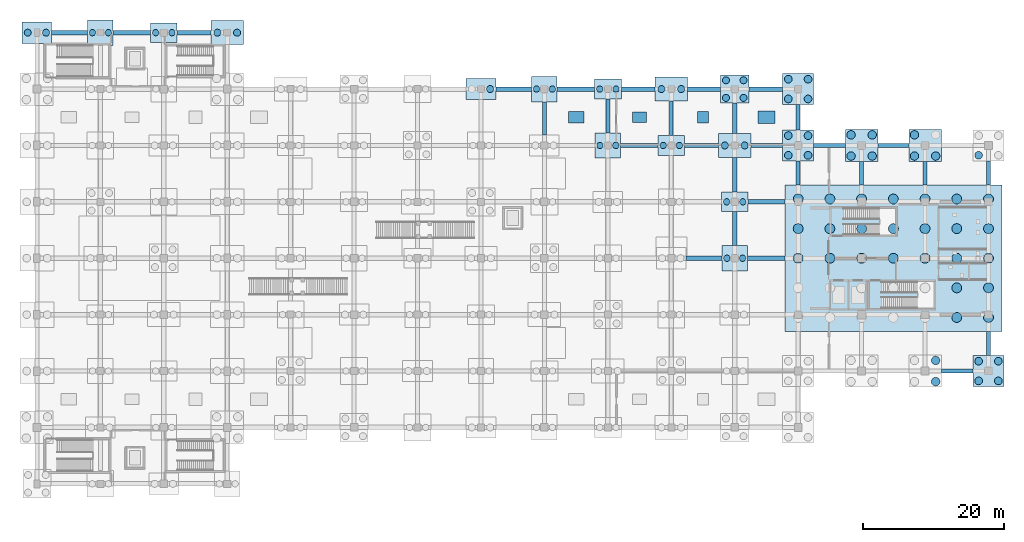
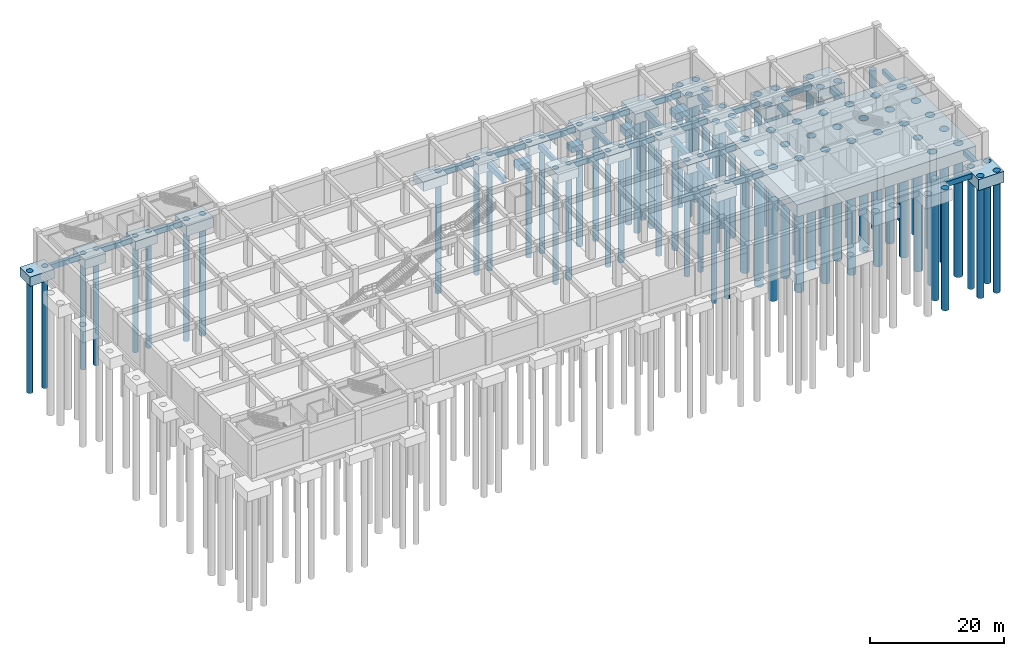
# One storey, part 5 of 18: 76 piles, 53 footings.
"""IFC4 building model written with IfcOpenShell, lengths in metres."""

from ifc_helpers import new_model, si_unit, derived_unit, direction, frame, origin, origin_2d, place, context, subcontext, project, spatial, rectangle, circle, extrude, material, material_profile, profile_set, type_object, element, save


model = new_model("IFC4")

# Units and contexts
model_context = context("Model", 3, precision=1e-05, world=origin(), true_north=direction((0.0, 1.0)))
body_context = subcontext(model_context, "Body", "Model", "MODEL_VIEW")
ifc_project = project(units=[si_unit("LENGTHUNIT", "METRE"), si_unit("AREAUNIT", "SQUARE_METRE"), si_unit("VOLUMEUNIT", "CUBIC_METRE"), si_unit("PLANEANGLEUNIT", "RADIAN"), si_unit("MASSUNIT", "GRAM", prefix="KILO"), derived_unit("THERMALTRANSMITTANCEUNIT", [(si_unit("MASSUNIT", "GRAM", prefix="KILO"), 1), (si_unit("TIMEUNIT", "SECOND"), -3), (si_unit("THERMODYNAMICTEMPERATUREUNIT", "KELVIN"), -1)])], contexts=[model_context])

# Site, building, storey
site_placement = place(None, origin())
site = spatial("IfcSite", under=ifc_project, at=site_placement, CompositionType="ELEMENT")
building_placement = place(site_placement, origin())
building = spatial("IfcBuilding", under=site, at=building_placement, Name="Zhenchuan Archway Interchange", CompositionType="ELEMENT")
storey_placement = place(building_placement, frame((0.0, 0.0, -12.0)))
storey = spatial("IfcBuildingStorey", under=building, at=storey_placement, Name="B2", CompositionType="ELEMENT", Elevation=-12.0)

# Footings
ifc_material_1 = material(Name="Concrete C40", Category="concrete")
ifc_material_profile_1 = material_profile(ifc_material_1, rectangle(XDim=0.64990234375, YDim=1.0, at=origin_2d()), Name="RC 650x1000")
ifc_profile_set_1 = profile_set([ifc_material_profile_1], Name="Concrete C40")
footing_type_1 = type_object("IfcFootingType", Name="FB_GROUND_1", PredefinedType="FOOTING_BEAM", material=ifc_profile_set_1)
footing_1_placement = place(storey_placement, frame((136.89990234375, 64.0, -1.5), z_axis=(1.0, 0.0, 0.0), x_axis=(0.0, 1.0, 0.0)))
element("IfcFooting", 1, at=footing_1_placement, inside=storey, type_object=footing_type_1, Name="Ground tie beam J:16-17 (B2)", PredefinedType="FOOTING_BEAM", context=body_context, shape_type="SweptSolid", body=[
    extrude(rectangle(XDim=0.64990234375, YDim=1.0, at=origin_2d()), origin(), (0.0, 0.0, 1.0), 5.2001953125),
])
footing_2_placement = place(storey_placement, frame((101.10009765625, 80.0, -1.5), z_axis=(1.0, 0.0, 0.0), x_axis=(0.0, 1.0, 0.0)))
element("IfcFooting", 2, at=footing_2_placement, inside=storey, type_object=footing_type_1, Name="Ground tie beam L:12-13 (B2)", PredefinedType="FOOTING_BEAM", context=body_context, shape_type="SweptSolid", body=[
    extrude(rectangle(XDim=0.64990234375, YDim=1.0, at=origin_2d()), origin(), (0.0, 0.0, 1.0), 5.099853515625),
])
footing_3_placement = place(storey_placement, frame((109.800048828125, 80.0, -1.5), z_axis=(1.0, 0.0, 0.0), x_axis=(0.0, 1.0, 0.0)))
element("IfcFooting", 3, at=footing_3_placement, inside=storey, type_object=footing_type_1, Name="Ground tie beam L:13-14 (B2)", PredefinedType="FOOTING_BEAM", context=body_context, shape_type="SweptSolid", body=[
    extrude(rectangle(XDim=0.64990234375, YDim=1.0, at=origin_2d()), origin(), (0.0, 0.0, 1.0), 5.300048828125),
])
footing_4_placement = place(storey_placement, frame((118.89990234375, 80.0, -1.5), z_axis=(1.0, 0.0, 0.0), x_axis=(0.0, 1.0, 0.0)))
element("IfcFooting", 4, at=footing_4_placement, inside=storey, type_object=footing_type_1, Name="Ground tie beam L:14-15 (B2)", PredefinedType="FOOTING_BEAM", context=body_context, shape_type="SweptSolid", body=[
    extrude(rectangle(XDim=0.64990234375, YDim=1.0, at=origin_2d()), origin(), (0.0, 0.0, 1.0), 4.800048828125),
])
footing_5_placement = place(storey_placement, frame((128.300048828125, 80.0, -1.5), z_axis=(1.0, 0.0, 0.0), x_axis=(0.0, 1.0, 0.0)))
element("IfcFooting", 5, at=footing_5_placement, inside=storey, type_object=footing_type_1, Name="Ground tie beam L:15-16 (B2)", PredefinedType="FOOTING_BEAM", context=body_context, shape_type="SweptSolid", body=[
    extrude(rectangle(XDim=0.64990234375, YDim=1.0, at=origin_2d()), origin(), (0.0, 0.0, 1.0), 4.699951171875),
])
footing_6_placement = place(storey_placement, frame((137.0, 80.0, -1.5), z_axis=(1.0, 0.0, 0.0), x_axis=(0.0, 1.0, 0.0)))
element("IfcFooting", 6, at=footing_6_placement, inside=storey, type_object=footing_type_1, Name="Ground tie beam L:16-17 (B2)", PredefinedType="FOOTING_BEAM", context=body_context, shape_type="SweptSolid", body=[
    extrude(rectangle(XDim=0.64990234375, YDim=1.0, at=origin_2d()), origin(), (0.0, 0.0, 1.0), 4.800048828125),
])
ifc_material_profile_2 = material_profile(ifc_material_1, rectangle(XDim=0.60009765625, YDim=0.949951171875, at=origin_2d()), Name="RC 600x950")
ifc_profile_set_2 = profile_set([ifc_material_profile_2], Name="Concrete C40")
footing_type_2 = type_object("IfcFootingType", Name="FB_GROUND_2", PredefinedType="FOOTING_BEAM", material=ifc_profile_set_2)
footing_7_placement = place(storey_placement, frame((164.300048828125, 40.0, -1.47509765625), z_axis=(1.0, 0.0, 0.0), x_axis=(0.0, 1.0, 0.0)))
element("IfcFooting", 7, at=footing_7_placement, inside=storey, type_object=footing_type_2, Name="Ground tie beam F:19-20 (B2)", PredefinedType="FOOTING_BEAM", context=body_context, shape_type="SweptSolid", body=[
    extrude(rectangle(XDim=0.60009765625, YDim=0.949951171875, at=origin_2d()), origin(), (0.0, 0.0, 1.0), 4.5),
])
footing_8_placement = place(storey_placement, frame((128.10009765625, 56.0, -1.47509765625), z_axis=(1.0, 0.0, 0.0), x_axis=(0.0, 1.0, 0.0)))
element("IfcFooting", 8, at=footing_8_placement, inside=storey, type_object=footing_type_2, Name="Ground tie beam H:15-16 (B2)", PredefinedType="FOOTING_BEAM", context=body_context, shape_type="SweptSolid", body=[
    extrude(rectangle(XDim=0.60009765625, YDim=0.949951171875, at=origin_2d()), origin(), (0.0, 0.0, 1.0), 5.099853515625),
])
for number, where, z_axis, x_axis, name in (
    (9, (136.800048828125, 56.0, -1.47509765625), (1.0, 0.0, 0.0), (0.0, 1.0, 0.0), "Ground tie beam H:16-17 (B2)"),
    (10, (118.800048828125, 72.0, -1.47509765625), (1.0, 0.0, 0.0), (0.0, 1.0, 0.0), "Ground tie beam K:14-15 (B2)"),
):
    element("IfcFooting", number, at=place(storey_placement, frame(where, z_axis=z_axis, x_axis=x_axis)), inside=storey, type_object=footing_type_2, Name=name, PredefinedType="FOOTING_BEAM", context=body_context, shape_type="SweptSolid", body=[
        extrude(rectangle(XDim=0.60009765625, YDim=0.949951171875, at=origin_2d()), origin(), (0.0, 0.0, 1.0), 5.300048828125),
    ])
footing_9_placement = place(storey_placement, frame((127.89990234375, 72.0, -1.47509765625), z_axis=(1.0, 0.0, 0.0), x_axis=(0.0, 1.0, 0.0)))
element("IfcFooting", 11, at=footing_9_placement, inside=storey, type_object=footing_type_2, Name="Ground tie beam K:15-16 (B2)", PredefinedType="FOOTING_BEAM", context=body_context, shape_type="SweptSolid", body=[
    extrude(rectangle(XDim=0.60009765625, YDim=0.949951171875, at=origin_2d()), origin(), (0.0, 0.0, 1.0), 4.800048828125),
])
for number, where, z_axis, x_axis, name in (
    (12, (137.300048828125, 72.0, -1.47509765625), (1.0, 0.0, 0.0), (0.0, 1.0, 0.0), "Ground tie beam K:16-17 (B2)"),
    (13, (146.199951171875, 72.0, -1.47509765625), (1.0, 0.0, 0.0), (0.0, 1.0, 0.0), "Ground tie beam K:17-18 (B2)"),
):
    element("IfcFooting", number, at=place(storey_placement, frame(where, z_axis=z_axis, x_axis=x_axis)), inside=storey, type_object=footing_type_2, Name=name, PredefinedType="FOOTING_BEAM", context=body_context, shape_type="SweptSolid", body=[
        extrude(rectangle(XDim=0.60009765625, YDim=0.949951171875, at=origin_2d()), origin(), (0.0, 0.0, 1.0), 4.5),
    ])
footing_10_placement = place(storey_placement, frame((155.300048828125, 72.0, -1.47509765625), z_axis=(1.0, 0.0, 0.0), x_axis=(0.0, 1.0, 0.0)))
element("IfcFooting", 14, at=footing_10_placement, inside=storey, type_object=footing_type_2, Name="Ground tie beam K:18-19 (B2)", PredefinedType="FOOTING_BEAM", context=body_context, shape_type="SweptSolid", body=[
    extrude(rectangle(XDim=0.60009765625, YDim=0.949951171875, at=origin_2d()), origin(), (0.0, 0.0, 1.0), 4.39990234375),
])
footing_11_placement = place(storey_placement, frame((38.10009765625, 88.0, -1.47509765625), z_axis=(1.0, 0.0, 0.0), x_axis=(0.0, 1.0, 0.0)))
element("IfcFooting", 15, at=footing_11_placement, inside=storey, type_object=footing_type_2, Name="Ground tie beam M:5-6 (B2)", PredefinedType="FOOTING_BEAM", context=body_context, shape_type="SweptSolid", body=[
    extrude(rectangle(XDim=0.60009765625, YDim=0.949951171875, at=origin_2d()), origin(), (0.0, 0.0, 1.0), 5.099853515625),
])
footing_12_placement = place(storey_placement, frame((46.800048828125, 88.0, -1.47509765625), z_axis=(1.0, 0.0, 0.0), x_axis=(0.0, 1.0, 0.0)))
element("IfcFooting", 16, at=footing_12_placement, inside=storey, type_object=footing_type_2, Name="Ground tie beam M:6-7 (B2)", PredefinedType="FOOTING_BEAM", context=body_context, shape_type="SweptSolid", body=[
    extrude(rectangle(XDim=0.60009765625, YDim=0.949951171875, at=origin_2d()), origin(), (0.0, 0.0, 1.0), 5.300048828125),
])
footing_13_placement = place(storey_placement, frame((55.89990234375, 88.0, -1.47509765625), z_axis=(1.0, 0.0, 0.0), x_axis=(0.0, 1.0, 0.0)))
element("IfcFooting", 17, at=footing_13_placement, inside=storey, type_object=footing_type_2, Name="Ground tie beam M:7-8 (B2)", PredefinedType="FOOTING_BEAM", context=body_context, shape_type="SweptSolid", body=[
    extrude(rectangle(XDim=0.60009765625, YDim=0.949951171875, at=origin_2d()), origin(), (0.0, 0.0, 1.0), 4.800048828125),
])
footing_14_placement = place(storey_placement, frame((108.0, 73.5, -1.47509765625), z_axis=(0.0, 1.0, 0.0), x_axis=(-1.0, 0.0, 0.0)))
element("IfcFooting", 18, at=footing_14_placement, inside=storey, type_object=footing_type_2, Name="Ground tie beam 13:K-L (B2)", PredefinedType="FOOTING_BEAM", context=body_context, shape_type="SweptSolid", body=[
    extrude(rectangle(XDim=0.60009765625, YDim=0.949951171875, at=origin_2d()), origin(), (0.0, 0.0, 1.0), 4.699951171875),
])
footing_15_placement = place(storey_placement, frame((135.0, 57.800048828125, -1.47509765625), z_axis=(0.0, 1.0, 0.0), x_axis=(-1.0, 0.0, 0.0)))
element("IfcFooting", 19, at=footing_15_placement, inside=storey, type_object=footing_type_2, Name="Ground tie beam 16:H-J (B2)", PredefinedType="FOOTING_BEAM", context=body_context, shape_type="SweptSolid", body=[
    extrude(rectangle(XDim=0.60009765625, YDim=0.949951171875, at=origin_2d()), origin(), (0.0, 0.0, 1.0), 4.800048828125),
])
footing_16_placement = place(storey_placement, frame((135.0, 65.39990234375, -1.47509765625), z_axis=(0.0, 1.0, 0.0), x_axis=(-1.0, 0.0, 0.0)))
element("IfcFooting", 20, at=footing_16_placement, inside=storey, type_object=footing_type_2, Name="Ground tie beam 16:J-K (B2)", PredefinedType="FOOTING_BEAM", context=body_context, shape_type="SweptSolid", body=[
    extrude(rectangle(XDim=0.60009765625, YDim=0.949951171875, at=origin_2d()), origin(), (0.0, 0.0, 1.0), 4.900146484375),
])
footing_17_placement = place(storey_placement, frame((135.0, 73.699951171875, -1.47509765625), z_axis=(0.0, 1.0, 0.0), x_axis=(-1.0, 0.0, 0.0)))
element("IfcFooting", 21, at=footing_17_placement, inside=storey, type_object=footing_type_2, Name="Ground tie beam 16:K-L (B2)", PredefinedType="FOOTING_BEAM", context=body_context, shape_type="SweptSolid", body=[
    extrude(rectangle(XDim=0.60009765625, YDim=0.949951171875, at=origin_2d()), origin(), (0.0, 0.0, 1.0), 4.300048828125),
])
footing_18_placement = place(storey_placement, frame((162.0, 66.39990234375, -1.47509765625), z_axis=(0.0, 1.0, 0.0), x_axis=(-1.0, 0.0, 0.0)))
element("IfcFooting", 22, at=footing_18_placement, inside=storey, type_object=footing_type_2, Name="Ground tie beam 19:J-K (B2)", PredefinedType="FOOTING_BEAM", context=body_context, shape_type="SweptSolid", body=[
    extrude(rectangle(XDim=0.60009765625, YDim=0.949951171875, at=origin_2d()), origin(), (0.0, 0.0, 1.0), 3.300048828125),
])
ifc_material_profile_3 = material_profile(ifc_material_1, rectangle(XDim=0.550048828125, YDim=0.85009765625, at=origin_2d()), Name="RC 550x850")
ifc_profile_set_3 = profile_set([ifc_material_profile_3], Name="Concrete C40")
footing_type_3 = type_object("IfcFootingType", Name="FB_GROUND_3", PredefinedType="FOOTING_BEAM", material=ifc_profile_set_3)
footing_19_placement = place(storey_placement, frame((117.0, 73.800048828125, -1.425048828125), z_axis=(0.0, 1.0, 0.0), x_axis=(-1.0, 0.0, 0.0)))
element("IfcFooting", 23, at=footing_19_placement, inside=storey, type_object=footing_type_3, Name="Ground tie beam 14:K-L (B2)", PredefinedType="FOOTING_BEAM", context=body_context, shape_type="SweptSolid", body=[
    extrude(rectangle(XDim=0.550048828125, YDim=0.85009765625, at=origin_2d()), origin(), (0.0, 0.0, 1.0), 4.800048828125),
])
footing_20_placement = place(storey_placement, frame((126.0, 73.39990234375, -1.425048828125), z_axis=(0.0, 1.0, 0.0), x_axis=(-1.0, 0.0, 0.0)))
element("IfcFooting", 24, at=footing_20_placement, inside=storey, type_object=footing_type_3, Name="Ground tie beam 15:K-L (B2)", PredefinedType="FOOTING_BEAM", context=body_context, shape_type="SweptSolid", body=[
    extrude(rectangle(XDim=0.550048828125, YDim=0.85009765625, at=origin_2d()), origin(), (0.0, 0.0, 1.0), 4.900146484375),
])
footing_21_placement = place(storey_placement, frame((144.0, 66.39990234375, -1.425048828125), z_axis=(0.0, 1.0, 0.0), x_axis=(-1.0, 0.0, 0.0)))
element("IfcFooting", 25, at=footing_21_placement, inside=storey, type_object=footing_type_3, Name="Ground tie beam 17:J-K (B2)", PredefinedType="FOOTING_BEAM", context=body_context, shape_type="SweptSolid", body=[
    extrude(rectangle(XDim=0.550048828125, YDim=0.85009765625, at=origin_2d()), origin(), (0.0, 0.0, 1.0), 3.400146484375),
])
footing_22_placement = place(storey_placement, frame((144.0, 74.199951171875, -1.425048828125), z_axis=(0.0, 1.0, 0.0), x_axis=(-1.0, 0.0, 0.0)))
element("IfcFooting", 26, at=footing_22_placement, inside=storey, type_object=footing_type_3, Name="Ground tie beam 17:K-L (B2)", PredefinedType="FOOTING_BEAM", context=body_context, shape_type="SweptSolid", body=[
    extrude(rectangle(XDim=0.550048828125, YDim=0.85009765625, at=origin_2d()), origin(), (0.0, 0.0, 1.0), 3.60009765625),
])
footing_23_placement = place(storey_placement, frame((153.0, 66.39990234375, -1.425048828125), z_axis=(0.0, 1.0, 0.0), x_axis=(-1.0, 0.0, 0.0)))
element("IfcFooting", 27, at=footing_23_placement, inside=storey, type_object=footing_type_3, Name="Ground tie beam 18:J-K (B2)", PredefinedType="FOOTING_BEAM", context=body_context, shape_type="SweptSolid", body=[
    extrude(rectangle(XDim=0.550048828125, YDim=0.85009765625, at=origin_2d()), origin(), (0.0, 0.0, 1.0), 3.300048828125),
])
for number, where, z_axis, x_axis, name in (
    (28, (171.0, 42.199951171875, -1.425048828125), (0.0, 1.0, 0.0), (-1.0, 0.0, 0.0), "Ground tie beam 20:F-G (B2)"),
    (29, (171.0, 66.39990234375, -1.425048828125), (0.0, 1.0, 0.0), (-1.0, 0.0, 0.0), "Ground tie beam 20:J-K (B2)"),
):
    element("IfcFooting", number, at=place(storey_placement, frame(where, z_axis=z_axis, x_axis=x_axis)), inside=storey, type_object=footing_type_3, Name=name, PredefinedType="FOOTING_BEAM", context=body_context, shape_type="SweptSolid", body=[
        extrude(rectangle(XDim=0.550048828125, YDim=0.85009765625, at=origin_2d()), origin(), (0.0, 0.0, 1.0), 3.400146484375),
    ])
footing_type_4 = type_object("IfcFootingType", Name="PAD_EQUIP_1", PredefinedType="PAD_FOOTING", material=ifc_material_1)
footing_24_placement = place(storey_placement, frame((112.5, 76.0, -2.10009765625), z_axis=(0.0, 0.0, 1.0), x_axis=(1.0, 0.0, 0.0)))
element("IfcFooting", 30, at=footing_24_placement, inside=storey, type_object=footing_type_4, Name="Station plant equipment pad footing PF-13", PredefinedType="PAD_FOOTING", context=body_context, shape_type="SweptSolid", body=[
    extrude(rectangle(XDim=2.199951171875, YDim=1.60009765625, at=origin_2d()), origin(), (0.0, 0.0, 1.0), 1.10009765625),
])
footing_type_5 = type_object("IfcFootingType", Name="PAD_EQUIP_2", PredefinedType="PAD_FOOTING", material=ifc_material_1)
footing_25_placement = place(storey_placement, frame((121.5, 76.0, -2.0), z_axis=(0.0, 0.0, 1.0), x_axis=(1.0, 0.0, 0.0)))
element("IfcFooting", 31, at=footing_25_placement, inside=storey, type_object=footing_type_5, Name="Station plant equipment pad footing PF-14", PredefinedType="PAD_FOOTING", context=body_context, shape_type="SweptSolid", body=[
    extrude(rectangle(XDim=2.0, YDim=1.5, at=origin_2d()), origin(), (0.0, 0.0, 1.0), 1.0),
])
footing_type_6 = type_object("IfcFootingType", Name="PAD_EQUIP_4", PredefinedType="PAD_FOOTING", material=ifc_material_1)
footing_26_placement = place(storey_placement, frame((130.5, 76.0, -2.2001953125), z_axis=(0.0, 0.0, 1.0), x_axis=(1.0, 0.0, 0.0)))
element("IfcFooting", 32, at=footing_26_placement, inside=storey, type_object=footing_type_6, Name="Station plant equipment pad footing PF-15", PredefinedType="PAD_FOOTING", context=body_context, shape_type="SweptSolid", body=[
    extrude(rectangle(XDim=1.60009765625, YDim=1.60009765625, at=origin_2d()), origin(), (0.0, 0.0, 1.0), 1.199951171875),
])
footing_type_7 = type_object("IfcFootingType", Name="PAD_EQUIP_6", PredefinedType="PAD_FOOTING", material=ifc_material_1)
footing_27_placement = place(storey_placement, frame((139.5, 76.0, -2.0498046875), z_axis=(0.0, 0.0, 1.0), x_axis=(1.0, 0.0, 0.0)))
element("IfcFooting", 33, at=footing_27_placement, inside=storey, type_object=footing_type_7, Name="Station plant equipment pad footing PF-16", PredefinedType="PAD_FOOTING", context=body_context, shape_type="SweptSolid", body=[
    extrude(rectangle(XDim=2.39990234375, YDim=1.800048828125, at=origin_2d()), origin(), (0.0, 0.0, 1.0), 1.050048828125),
])
footing_type_8 = type_object("IfcFootingType", Name="PC_B_42x30", PredefinedType="PILE_CAP", material=ifc_material_1)
for number, where, z_axis, x_axis, name in (
    (34, (99.0, 80.0, -2.7001953125), (0.0, 0.0, 1.0), (1.0, 0.0, 0.0), "Pile cap PC-08 at 12/L (B2)"),
    (35, (36.0, 88.0, -2.7001953125), (0.0, 0.0, 1.0), (1.0, 0.0, 0.0), "Pile cap PC-08 at 5/M (B2)"),
):
    element("IfcFooting", number, at=place(storey_placement, frame(where, z_axis=z_axis, x_axis=x_axis)), inside=storey, type_object=footing_type_8, Name=name, PredefinedType="PILE_CAP", context=body_context, shape_type="SweptSolid", body=[
        extrude(rectangle(XDim=4.199951171875, YDim=3.0, at=origin_2d()), origin(), (0.0, 0.0, 1.0), 1.699951171875),
    ])
footing_type_9 = type_object("IfcFootingType", Name="PC_CORE_MAT", PredefinedType="PILE_CAP", material=ifc_material_1)
footing_28_placement = place(storey_placement, frame((157.5, 56.0, -3.2001953125), z_axis=(0.0, 0.0, 1.0), x_axis=(1.0, 0.0, 0.0)))
element("IfcFooting", 36, at=footing_28_placement, inside=storey, type_object=footing_type_9, Name="Combined operations core pile cap PC-CORE", PredefinedType="PILE_CAP", context=body_context, shape_type="SweptSolid", body=[
    extrude(rectangle(XDim=30.800048828125, YDim=20.800048828125, at=origin_2d()), origin(), (0.0, 0.0, 1.0), 2.199951171875),
])
footing_type_10 = type_object("IfcFootingType", Name="PC_C_46x34", PredefinedType="PILE_CAP", material=ifc_material_1)
for number, where, z_axis, x_axis, name in (
    (37, (126.0, 80.0, -2.85009765625), (0.0, 0.0, 1.0), (1.0, 0.0, 0.0), "Pile cap PC-05 at 15/L (B2)"),
    (38, (135.0, 72.0, -2.85009765625), (0.0, 0.0, 1.0), (1.0, 0.0, 0.0), "Pile cap PC-05 at 16/K (B2)"),
    (39, (63.0, 88.0, -2.85009765625), (0.0, 0.0, 1.0), (1.0, 0.0, 0.0), "Pile cap PC-05 at 8/M (B2)"),
):
    element("IfcFooting", number, at=place(storey_placement, frame(where, z_axis=z_axis, x_axis=x_axis)), inside=storey, type_object=footing_type_10, Name=name, PredefinedType="PILE_CAP", context=body_context, shape_type="SweptSolid", body=[
        extrude(rectangle(XDim=4.60009765625, YDim=3.39990234375, at=origin_2d()), origin(), (0.0, 0.0, 1.0), 1.85009765625),
    ])
footing_type_11 = type_object("IfcFootingType", Name="PC_M_36x36", PredefinedType="PILE_CAP", material=ifc_material_1)
for number, where, z_axis, x_axis, name in (
    (40, (108.0, 80.0, -2.64990234375), (0.0, 0.0, 1.0), (1.0, 0.0, 0.0), "Pile cap PC-09 at 13/L (B2)"),
    (41, (117.0, 72.0, -2.64990234375), (0.0, 0.0, 1.0), (1.0, 0.0, 0.0), "Pile cap PC-09 at 14/K (B2)"),
    (42, (135.0, 56.0, -2.64990234375), (0.0, 0.0, 1.0), (1.0, 0.0, 0.0), "Pile cap PC-09 at 16/H (B2)"),
    (43, (45.0, 88.0, -2.64990234375), (0.0, 0.0, 1.0), (1.0, 0.0, 0.0), "Pile cap PC-09 at 6/M (B2)"),
):
    element("IfcFooting", number, at=place(storey_placement, frame(where, z_axis=z_axis, x_axis=x_axis)), inside=storey, type_object=footing_type_11, Name=name, PredefinedType="PILE_CAP", context=body_context, shape_type="SweptSolid", body=[
        extrude(rectangle(XDim=3.60009765625, YDim=3.60009765625, at=origin_2d()), origin(), (0.0, 0.0, 1.0), 1.64990234375),
    ])
footing_type_12 = type_object("IfcFootingType", Name="PC_P_38x28", PredefinedType="PILE_CAP", material=ifc_material_1)
for number, where, z_axis, x_axis, name in (
    (44, (117.0, 80.0, -2.60009765625), (0.0, 0.0, 1.0), (1.0, 0.0, 0.0), "Pile cap PC-10 at 14/L (B2)"),
    (45, (126.0, 72.0, -2.60009765625), (0.0, 0.0, 1.0), (1.0, 0.0, 0.0), "Pile cap PC-10 at 15/K (B2)"),
    (46, (135.0, 64.0, -2.60009765625), (0.0, 0.0, 1.0), (1.0, 0.0, 0.0), "Pile cap PC-10 at 16/J (B2)"),
    (47, (54.0, 88.0, -2.60009765625), (0.0, 0.0, 1.0), (1.0, 0.0, 0.0), "Pile cap PC-10 at 7/M (B2)"),
):
    element("IfcFooting", number, at=place(storey_placement, frame(where, z_axis=z_axis, x_axis=x_axis)), inside=storey, type_object=footing_type_12, Name=name, PredefinedType="PILE_CAP", context=body_context, shape_type="SweptSolid", body=[
        extrude(rectangle(XDim=3.800048828125, YDim=2.800048828125, at=origin_2d()), origin(), (0.0, 0.0, 1.0), 1.60009765625),
    ])
footing_type_13 = type_object("IfcFootingType", Name="PC_R_40x40", PredefinedType="PILE_CAP", material=ifc_material_1)
footing_29_placement = place(storey_placement, frame((135.0, 80.0, -2.7998046875), z_axis=(0.0, 0.0, 1.0), x_axis=(1.0, 0.0, 0.0)))
element("IfcFooting", 48, at=footing_29_placement, inside=storey, type_object=footing_type_13, Name="Pile cap PC-06 at 16/L (B2)", PredefinedType="PILE_CAP", context=body_context, shape_type="SweptSolid", body=[
    extrude(rectangle(XDim=4.0, YDim=4.0, at=origin_2d()), origin(), (0.0, 0.0, 1.0), 1.800048828125),
])
footing_type_14 = type_object("IfcFootingType", Name="PC_T_44x44", PredefinedType="PILE_CAP", material=ifc_material_1)
for number, where, z_axis, x_axis, name in (
    (49, (144.0, 72.0, -3.0), (0.0, 0.0, 1.0), (1.0, 0.0, 0.0), "Pile cap PC-02 at 17/K (B2)"),
    (50, (144.0, 80.0, -3.0), (0.0, 0.0, 1.0), (1.0, 0.0, 0.0), "Pile cap PC-02 at 17/L (B2)"),
    (51, (171.0, 40.0, -3.0), (0.0, 0.0, 1.0), (1.0, 0.0, 0.0), "Pile cap PC-02 at 20/F (B2)"),
):
    element("IfcFooting", number, at=place(storey_placement, frame(where, z_axis=z_axis, x_axis=x_axis)), inside=storey, type_object=footing_type_14, Name=name, PredefinedType="PILE_CAP", context=body_context, shape_type="SweptSolid", body=[
        extrude(rectangle(XDim=4.39990234375, YDim=4.39990234375, at=origin_2d()), origin(), (0.0, 0.0, 1.0), 2.0),
    ])
footing_type_15 = type_object("IfcFootingType", Name="PC_T_46x46", PredefinedType="PILE_CAP", material=ifc_material_1)
for number, where, z_axis, x_axis, name in (
    (52, (153.0, 72.0, -3.10009765625), (0.0, 0.0, 1.0), (1.0, 0.0, 0.0), "Pile cap PC-01 at 18/K (B2)"),
    (53, (162.0, 72.0, -3.10009765625), (0.0, 0.0, 1.0), (1.0, 0.0, 0.0), "Pile cap PC-01 at 19/K (B2)"),
):
    element("IfcFooting", number, at=place(storey_placement, frame(where, z_axis=z_axis, x_axis=x_axis)), inside=storey, type_object=footing_type_15, Name=name, PredefinedType="PILE_CAP", context=body_context, shape_type="SweptSolid", body=[
        extrude(rectangle(XDim=4.60009765625, YDim=4.60009765625, at=origin_2d()), origin(), (0.0, 0.0, 1.0), 2.10009765625),
    ])

# Piles
ifc_material_2 = material(Name="Concrete C35", Category="concrete")
ifc_material_profile_4 = material_profile(ifc_material_2, circle(Radius=0.5, at=origin_2d()), Name="BORED PILE 1000")
ifc_profile_set_4 = profile_set([ifc_material_profile_4], Name="Concrete C35")
pile_type_1 = type_object("IfcPileType", Name="PILE_D1000", PredefinedType="BORED", material=ifc_profile_set_4)
for number, where, z_axis, x_axis, name in (
    (54, (100.300048828125, 80.0, -1.0), (0.0, 0.0, -1.0), (1.0, 0.0, 0.0), "Bored pile at 12/L #2 (B2)"),
    (55, (124.60009765625, 80.0, -1.0), (0.0, 0.0, -1.0), (1.0, 0.0, 0.0), "Bored pile at 15/L #1 (B2)"),
    (56, (127.39990234375, 80.0, -1.0), (0.0, 0.0, -1.0), (1.0, 0.0, 0.0), "Bored pile at 15/L #2 (B2)"),
    (57, (133.60009765625, 72.0, -1.0), (0.0, 0.0, -1.0), (1.0, 0.0, 0.0), "Bored pile at 16/K #1 (B2)"),
    (58, (136.39990234375, 72.0, -1.0), (0.0, 0.0, -1.0), (1.0, 0.0, 0.0), "Bored pile at 16/K #2 (B2)"),
    (59, (133.75, 78.75, -1.0), (0.0, 0.0, -1.0), (1.0, 0.0, 0.0), "Bored pile at 16/L #1 (B2)"),
    (60, (136.25, 78.75, -1.0), (0.0, 0.0, -1.0), (1.0, 0.0, 0.0), "Bored pile at 16/L #2 (B2)"),
    (61, (133.75, 81.25, -1.0), (0.0, 0.0, -1.0), (1.0, 0.0, 0.0), "Bored pile at 16/L #3 (B2)"),
    (62, (136.25, 81.25, -1.0), (0.0, 0.0, -1.0), (1.0, 0.0, 0.0), "Bored pile at 16/L #4 (B2)"),
    (63, (34.699951171875, 88.0, -1.0), (0.0, 0.0, -1.0), (1.0, 0.0, 0.0), "Bored pile at 5/M #1 (B2)"),
    (64, (37.300048828125, 88.0, -1.0), (0.0, 0.0, -1.0), (1.0, 0.0, 0.0), "Bored pile at 5/M #2 (B2)"),
    (65, (61.60009765625, 88.0, -1.0), (0.0, 0.0, -1.0), (1.0, 0.0, 0.0), "Bored pile at 8/M #1 (B2)"),
    (66, (64.39990234375, 88.0, -1.0), (0.0, 0.0, -1.0), (1.0, 0.0, 0.0), "Bored pile at 8/M #2 (B2)"),
):
    element("IfcPile", number, at=place(storey_placement, frame(where, z_axis=z_axis, x_axis=x_axis)), inside=storey, type_object=pile_type_1, Name=name, PredefinedType="BORED", context=body_context, shape_type="SweptSolid", body=[
        extrude(circle(Radius=0.5, at=origin_2d()), origin(), (0.0, 0.0, 1.0), 22.0),
    ])
ifc_material_profile_5 = material_profile(ifc_material_2, circle(Radius=0.550048828125, at=origin_2d()), Name="BORED PILE 1100")
ifc_profile_set_5 = profile_set([ifc_material_profile_5], Name="Concrete C35")
pile_type_2 = type_object("IfcPileType", Name="PILE_D1100", PredefinedType="BORED", material=ifc_profile_set_5)
for number, where, z_axis, x_axis, name in (
    (67, (142.60009765625, 70.60009765625, -1.0), (0.0, 0.0, -1.0), (1.0, 0.0, 0.0), "Bored pile at 17/K #1 (B2)"),
    (68, (145.39990234375, 70.60009765625, -1.0), (0.0, 0.0, -1.0), (1.0, 0.0, 0.0), "Bored pile at 17/K #2 (B2)"),
    (69, (142.60009765625, 73.39990234375, -1.0), (0.0, 0.0, -1.0), (1.0, 0.0, 0.0), "Bored pile at 17/K #3 (B2)"),
    (70, (145.39990234375, 73.39990234375, -1.0), (0.0, 0.0, -1.0), (1.0, 0.0, 0.0), "Bored pile at 17/K #4 (B2)"),
    (71, (142.60009765625, 78.60009765625, -1.0), (0.0, 0.0, -1.0), (1.0, 0.0, 0.0), "Bored pile at 17/L #1 (B2)"),
    (72, (145.39990234375, 78.60009765625, -1.0), (0.0, 0.0, -1.0), (1.0, 0.0, 0.0), "Bored pile at 17/L #2 (B2)"),
    (73, (142.60009765625, 81.39990234375, -1.0), (0.0, 0.0, -1.0), (1.0, 0.0, 0.0), "Bored pile at 17/L #3 (B2)"),
    (74, (145.39990234375, 81.39990234375, -1.0), (0.0, 0.0, -1.0), (1.0, 0.0, 0.0), "Bored pile at 17/L #4 (B2)"),
    (75, (169.60009765625, 38.60009765625, -1.0), (0.0, 0.0, -1.0), (1.0, 0.0, 0.0), "Bored pile at 20/F #1 (B2)"),
    (76, (172.39990234375, 38.60009765625, -1.0), (0.0, 0.0, -1.0), (1.0, 0.0, 0.0), "Bored pile at 20/F #2 (B2)"),
    (77, (169.60009765625, 41.39990234375, -1.0), (0.0, 0.0, -1.0), (1.0, 0.0, 0.0), "Bored pile at 20/F #3 (B2)"),
    (78, (172.39990234375, 41.39990234375, -1.0), (0.0, 0.0, -1.0), (1.0, 0.0, 0.0), "Bored pile at 20/F #4 (B2)"),
    (79, (169.60009765625, 70.60009765625, -1.0), (0.0, 0.0, -1.0), (1.0, 0.0, 0.0), "Bored pile at 20/K #1 (B2)"),
):
    element("IfcPile", number, at=place(storey_placement, frame(where, z_axis=z_axis, x_axis=x_axis)), inside=storey, type_object=pile_type_2, Name=name, PredefinedType="BORED", context=body_context, shape_type="SweptSolid", body=[
        extrude(circle(Radius=0.550048828125, at=origin_2d()), origin(), (0.0, 0.0, 1.0), 22.0),
    ])
ifc_material_profile_6 = material_profile(ifc_material_2, circle(Radius=0.60009765625, at=origin_2d()), Name="BORED PILE 1200")
ifc_profile_set_6 = profile_set([ifc_material_profile_6], Name="Concrete C35")
pile_type_3 = type_object("IfcPileType", Name="PILE_D1200", PredefinedType="BORED", material=ifc_profile_set_6)
for number, where, z_axis, x_axis, name in (
    (80, (151.5, 70.5, -1.0), (0.0, 0.0, -1.0), (1.0, 0.0, 0.0), "Bored pile at 18/K #1 (B2)"),
    (81, (154.5, 70.5, -1.0), (0.0, 0.0, -1.0), (1.0, 0.0, 0.0), "Bored pile at 18/K #2 (B2)"),
    (82, (151.5, 73.5, -1.0), (0.0, 0.0, -1.0), (1.0, 0.0, 0.0), "Bored pile at 18/K #3 (B2)"),
    (83, (154.5, 73.5, -1.0), (0.0, 0.0, -1.0), (1.0, 0.0, 0.0), "Bored pile at 18/K #4 (B2)"),
    (84, (163.5, 38.5, -1.0), (0.0, 0.0, -1.0), (1.0, 0.0, 0.0), "Bored pile at 19/F #2 (B2)"),
    (85, (163.5, 41.5, -1.0), (0.0, 0.0, -1.0), (1.0, 0.0, 0.0), "Bored pile at 19/F #4 (B2)"),
    (86, (160.5, 70.5, -1.0), (0.0, 0.0, -1.0), (1.0, 0.0, 0.0), "Bored pile at 19/K #1 (B2)"),
    (87, (163.5, 70.5, -1.0), (0.0, 0.0, -1.0), (1.0, 0.0, 0.0), "Bored pile at 19/K #2 (B2)"),
    (88, (160.5, 73.5, -1.0), (0.0, 0.0, -1.0), (1.0, 0.0, 0.0), "Bored pile at 19/K #3 (B2)"),
):
    element("IfcPile", number, at=place(storey_placement, frame(where, z_axis=z_axis, x_axis=x_axis)), inside=storey, type_object=pile_type_3, Name=name, PredefinedType="BORED", context=body_context, shape_type="SweptSolid", body=[
        extrude(circle(Radius=0.60009765625, at=origin_2d()), origin(), (0.0, 0.0, 1.0), 22.0),
    ])
ifc_material_profile_7 = material_profile(ifc_material_2, circle(Radius=0.699951171875, at=origin_2d()), Name="BORED PILE 1400")
ifc_profile_set_7 = profile_set([ifc_material_profile_7], Name="Concrete C35")
pile_type_4 = type_object("IfcPileType", Name="PILE_D1400", PredefinedType="BORED", material=ifc_profile_set_7)
for number, where, z_axis, x_axis, name in (
    (89, (144.0, 56.0, -1.0), (0.0, 0.0, -1.0), (1.0, 0.0, 0.0), "Core bored pile P-14-03"),
    (90, (144.0, 60.199951171875, -1.0), (0.0, 0.0, -1.0), (1.0, 0.0, 0.0), "Core bored pile P-14-04"),
    (91, (144.0, 64.39990234375, -1.0), (0.0, 0.0, -1.0), (1.0, 0.0, 0.0), "Core bored pile P-14-05"),
    (92, (148.5, 56.0, -1.0), (0.0, 0.0, -1.0), (1.0, 0.0, 0.0), "Core bored pile P-14-08"),
    (93, (148.5, 60.199951171875, -1.0), (0.0, 0.0, -1.0), (1.0, 0.0, 0.0), "Core bored pile P-14-09"),
    (94, (148.5, 64.39990234375, -1.0), (0.0, 0.0, -1.0), (1.0, 0.0, 0.0), "Core bored pile P-14-10"),
    (95, (153.0, 56.0, -1.0), (0.0, 0.0, -1.0), (1.0, 0.0, 0.0), "Core bored pile P-14-13"),
    (96, (153.0, 60.199951171875, -1.0), (0.0, 0.0, -1.0), (1.0, 0.0, 0.0), "Core bored pile P-14-14"),
    (97, (153.0, 64.39990234375, -1.0), (0.0, 0.0, -1.0), (1.0, 0.0, 0.0), "Core bored pile P-14-15"),
    (98, (157.5, 56.0, -1.0), (0.0, 0.0, -1.0), (1.0, 0.0, 0.0), "Core bored pile P-14-18"),
    (99, (157.5, 60.199951171875, -1.0), (0.0, 0.0, -1.0), (1.0, 0.0, 0.0), "Core bored pile P-14-19"),
    (100, (157.5, 64.39990234375, -1.0), (0.0, 0.0, -1.0), (1.0, 0.0, 0.0), "Core bored pile P-14-20"),
    (101, (162.0, 56.0, -1.0), (0.0, 0.0, -1.0), (1.0, 0.0, 0.0), "Core bored pile P-14-23"),
    (102, (162.0, 60.199951171875, -1.0), (0.0, 0.0, -1.0), (1.0, 0.0, 0.0), "Core bored pile P-14-24"),
    (103, (162.0, 64.39990234375, -1.0), (0.0, 0.0, -1.0), (1.0, 0.0, 0.0), "Core bored pile P-14-25"),
    (104, (166.5, 47.60009765625, -1.0), (0.0, 0.0, -1.0), (1.0, 0.0, 0.0), "Core bored pile P-14-26"),
    (105, (166.5, 51.800048828125, -1.0), (0.0, 0.0, -1.0), (1.0, 0.0, 0.0), "Core bored pile P-14-27"),
    (106, (166.5, 56.0, -1.0), (0.0, 0.0, -1.0), (1.0, 0.0, 0.0), "Core bored pile P-14-28"),
    (107, (166.5, 60.199951171875, -1.0), (0.0, 0.0, -1.0), (1.0, 0.0, 0.0), "Core bored pile P-14-29"),
    (108, (166.5, 64.39990234375, -1.0), (0.0, 0.0, -1.0), (1.0, 0.0, 0.0), "Core bored pile P-14-30"),
    (109, (171.0, 47.60009765625, -1.0), (0.0, 0.0, -1.0), (1.0, 0.0, 0.0), "Core bored pile P-14-31"),
    (110, (171.0, 51.800048828125, -1.0), (0.0, 0.0, -1.0), (1.0, 0.0, 0.0), "Core bored pile P-14-32"),
    (111, (171.0, 56.0, -1.0), (0.0, 0.0, -1.0), (1.0, 0.0, 0.0), "Core bored pile P-14-33"),
    (112, (171.0, 60.199951171875, -1.0), (0.0, 0.0, -1.0), (1.0, 0.0, 0.0), "Core bored pile P-14-34"),
    (113, (171.0, 64.39990234375, -1.0), (0.0, 0.0, -1.0), (1.0, 0.0, 0.0), "Core bored pile P-14-35"),
):
    element("IfcPile", number, at=place(storey_placement, frame(where, z_axis=z_axis, x_axis=x_axis)), inside=storey, type_object=pile_type_4, Name=name, PredefinedType="BORED", context=body_context, shape_type="SweptSolid", body=[
        extrude(circle(Radius=0.699951171875, at=origin_2d()), origin(), (0.0, 0.0, 1.0), 24.0),
    ])
ifc_material_profile_8 = material_profile(ifc_material_2, circle(Radius=0.449951171875, at=origin_2d()), Name="BORED PILE 900")
ifc_profile_set_8 = profile_set([ifc_material_profile_8], Name="Concrete C35")
pile_type_5 = type_object("IfcPileType", Name="PILE_D900", PredefinedType="BORED", material=ifc_profile_set_8)
for number, where, z_axis, x_axis, name in (
    (114, (106.875, 80.0, -1.0), (0.0, 0.0, -1.0), (1.0, 0.0, 0.0), "Bored pile at 13/L #1 (B2)"),
    (115, (109.125, 80.0, -1.0), (0.0, 0.0, -1.0), (1.0, 0.0, 0.0), "Bored pile at 13/L #2 (B2)"),
    (116, (115.875, 72.0, -1.0), (0.0, 0.0, -1.0), (1.0, 0.0, 0.0), "Bored pile at 14/K #1 (B2)"),
    (117, (118.125, 72.0, -1.0), (0.0, 0.0, -1.0), (1.0, 0.0, 0.0), "Bored pile at 14/K #2 (B2)"),
    (118, (115.85009765625, 80.0, -1.0), (0.0, 0.0, -1.0), (1.0, 0.0, 0.0), "Bored pile at 14/L #1 (B2)"),
    (119, (118.14990234375, 80.0, -1.0), (0.0, 0.0, -1.0), (1.0, 0.0, 0.0), "Bored pile at 14/L #2 (B2)"),
    (120, (124.85009765625, 72.0, -1.0), (0.0, 0.0, -1.0), (1.0, 0.0, 0.0), "Bored pile at 15/K #1 (B2)"),
    (121, (127.14990234375, 72.0, -1.0), (0.0, 0.0, -1.0), (1.0, 0.0, 0.0), "Bored pile at 15/K #2 (B2)"),
    (122, (133.875, 56.0, -1.0), (0.0, 0.0, -1.0), (1.0, 0.0, 0.0), "Bored pile at 16/H #1 (B2)"),
    (123, (136.125, 56.0, -1.0), (0.0, 0.0, -1.0), (1.0, 0.0, 0.0), "Bored pile at 16/H #2 (B2)"),
    (124, (133.85009765625, 64.0, -1.0), (0.0, 0.0, -1.0), (1.0, 0.0, 0.0), "Bored pile at 16/J #1 (B2)"),
    (125, (136.14990234375, 64.0, -1.0), (0.0, 0.0, -1.0), (1.0, 0.0, 0.0), "Bored pile at 16/J #2 (B2)"),
    (126, (43.875, 88.0, -1.0), (0.0, 0.0, -1.0), (1.0, 0.0, 0.0), "Bored pile at 6/M #1 (B2)"),
    (127, (46.125, 88.0, -1.0), (0.0, 0.0, -1.0), (1.0, 0.0, 0.0), "Bored pile at 6/M #2 (B2)"),
    (128, (52.85009765625, 88.0, -1.0), (0.0, 0.0, -1.0), (1.0, 0.0, 0.0), "Bored pile at 7/M #1 (B2)"),
    (129, (55.14990234375, 88.0, -1.0), (0.0, 0.0, -1.0), (1.0, 0.0, 0.0), "Bored pile at 7/M #2 (B2)"),
):
    element("IfcPile", number, at=place(storey_placement, frame(where, z_axis=z_axis, x_axis=x_axis)), inside=storey, type_object=pile_type_5, Name=name, PredefinedType="BORED", context=body_context, shape_type="SweptSolid", body=[
        extrude(circle(Radius=0.449951171875, at=origin_2d()), origin(), (0.0, 0.0, 1.0), 21.0),
    ])

save(model, "model.ifc")
